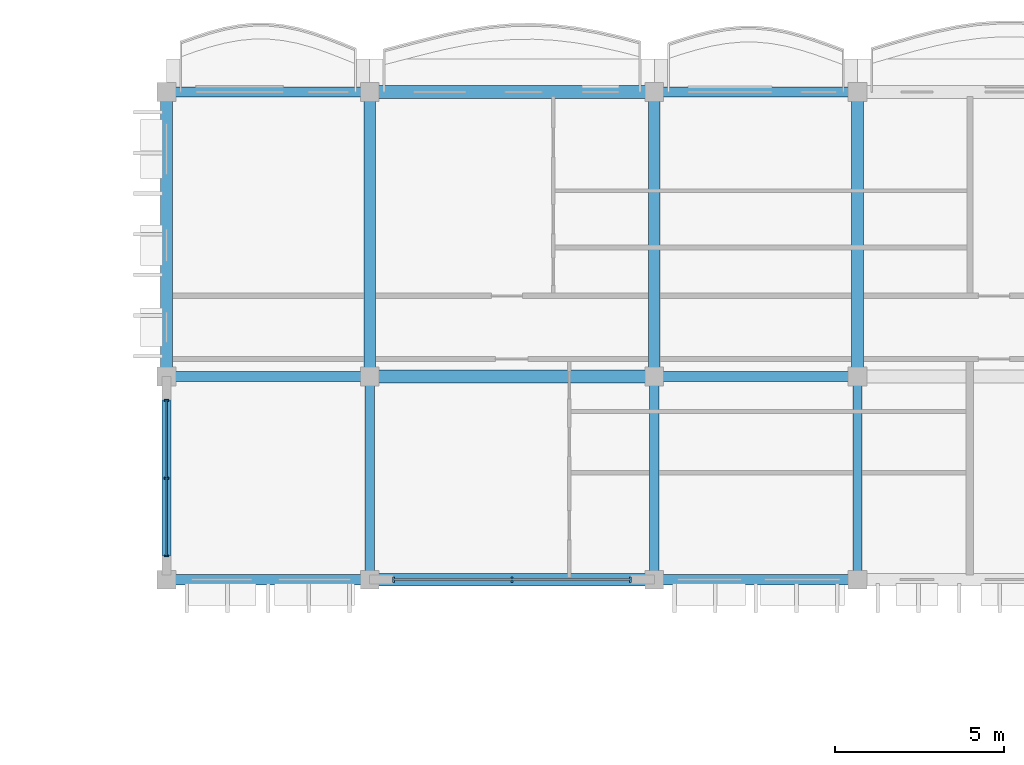
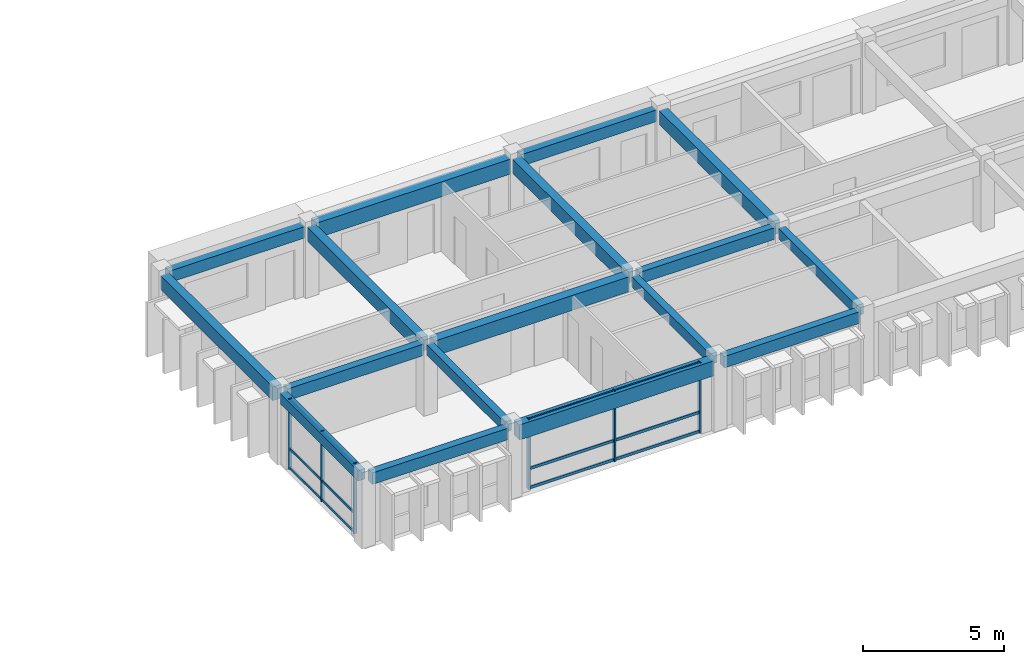
# One storey, part 12 of 54: 17 beams, 12 members, 2 elements without a shape of their own.
"""IFC4 building model written with IfcOpenShell, lengths in metres."""

import ifcopenshell
import ifcopenshell.guid

model = None  # the IFC model being written
_history = None  # IfcOwnerHistory: only IFC2X3 demands one
_inside = {}  # id of a spatial element -> (the spatial element, [elements in it])
_under = {}  # id of a project, library or spatial element -> (it, [spatial elements below it])
_declared = {}  # id of a project -> (the project, [libraries it declares])
_typed = {}  # id of a type object -> (the type object, [elements of that type])
_made_of = {}  # id of a material, layer set ... -> (it, [elements and type objects made of it])


def new_model(schema):
    """Start an empty IFC model of exactly this schema.

    Asked for "IFC4X3", IfcOpenShell would pick the latest addendum, in which some entities
    have other attributes; the version numbers below select the first issue.
    IFC2X3 requires an IfcOwnerHistory on every rooted entity: one is made here for all.
    """
    global model, _history
    if schema == "IFC4X3":
        model = ifcopenshell.file(schema_version=(4, 3, 0, 0))
    else:
        model = ifcopenshell.file(schema=schema)
    _inside.clear()
    _under.clear()
    _declared.clear()
    _typed.clear()
    _made_of.clear()
    _history = None
    if model.schema == "IFC2X3":
        org = make("IfcOrganization", Name="unknown")
        user = make(
            "IfcPersonAndOrganization",
            ThePerson=make("IfcPerson", FamilyName="unknown"),
            TheOrganization=org,
        )
        app = make(
            "IfcApplication",
            ApplicationDeveloper=org,
            Version="unknown",
            ApplicationFullName="unknown",
            ApplicationIdentifier="unknown",
        )
        _history = make(
            "IfcOwnerHistory",
            OwningUser=user,
            OwningApplication=app,
            ChangeAction="ADDED",
            CreationDate=0,
        )
    return model


def make(cls, **values):
    """One entity of the class cls with the attributes given. An attribute that is None is left unset."""
    return model.create_entity(
        cls, **{name: value for name, value in values.items() if value is not None}
    )


def rooted(cls, **values):
    """An entity with a GlobalId (a new one), such as an element, a storey or a relation."""
    return make(cls, GlobalId=ifcopenshell.guid.new(), OwnerHistory=_history, **values)


def si_unit(unit_type, name, prefix=None):
    """IfcSIUnit, for example si_unit("LENGTHUNIT", "METRE", prefix="MILLI")."""
    return make("IfcSIUnit", UnitType=unit_type, Prefix=prefix, Name=name)


def assignment(units):
    """IfcUnitAssignment: the units of a project."""
    return None if units is None else make("IfcUnitAssignment", Units=units)


def point(xyz):
    """IfcCartesianPoint."""
    return None if xyz is None else make("IfcCartesianPoint", Coordinates=xyz)


def direction(xyz):
    """IfcDirection."""
    return None if xyz is None else make("IfcDirection", DirectionRatios=xyz)


def frame(location, z_axis=None, x_axis=None):
    """IfcAxis2Placement3D, a coordinate frame: its origin and axes. An axis left out is left unset."""
    return make(
        "IfcAxis2Placement3D",
        Location=point(location),
        Axis=direction(z_axis),
        RefDirection=direction(x_axis),
    )


def frame_2d(location, x_axis=None):
    """IfcAxis2Placement2D, a coordinate frame in the plane: its origin and x axis."""
    return make(
        "IfcAxis2Placement2D", Location=point(location), RefDirection=direction(x_axis)
    )


def origin():
    """The frame at (0, 0, 0) with its axes left unset."""
    return frame((0.0, 0.0, 0.0))


def origin_2d():
    """The frame at (0, 0) in the plane with its x axis left unset."""
    return frame_2d((0.0, 0.0))


def place(relative_to, where):
    """IfcLocalPlacement: puts the frame where relative to a parent placement (None: the world)."""
    return make(
        "IfcLocalPlacement", PlacementRelTo=relative_to, RelativePlacement=where
    )


def context(
    kind, dimensions, precision=None, world=None, true_north=None, identifier=None
):
    """IfcGeometricRepresentationContext, for example the 3D "Model" context."""
    return make(
        "IfcGeometricRepresentationContext",
        ContextIdentifier=identifier,
        ContextType=kind,
        CoordinateSpaceDimension=dimensions,
        Precision=precision,
        WorldCoordinateSystem=world,
        TrueNorth=true_north,
    )


def subcontext(parent, identifier, kind, view, scale=None):
    """IfcGeometricRepresentationSubContext, for example "Body" below "Model"."""
    return make(
        "IfcGeometricRepresentationSubContext",
        ContextIdentifier=identifier,
        ContextType=kind,
        ParentContext=parent,
        TargetScale=scale,
        TargetView=view,
    )


def project(units=None, contexts=None):
    """IfcProject with its units and contexts."""
    return rooted(
        "IfcProject",
        Name="project",
        RepresentationContexts=contexts,
        UnitsInContext=assignment(units),
    )


def spatial(cls, under=None, at=None, **own):
    """A site, building, storey or space (cls), placed at a placement, below another one or the project."""
    s = rooted(cls, ObjectPlacement=at, **own)
    if under is not None:
        _under.setdefault(under.id(), (under, []))[1].append(s)
    return s


def profile(cls, at=None, kind="AREA", **sizes):
    """A parametric profile (cls). Its sizes go by their IFC names, for example OverallWidth=200.0."""
    return make(cls, ProfileType=kind, Position=at, **sizes)


def rectangle(**sizes):
    """IfcRectangleProfileDef."""
    return profile("IfcRectangleProfileDef", **sizes)


def extrude(swept, where, along, depth):
    """IfcExtrudedAreaSolid: the profile swept, set in the frame where, extruded along a direction by depth."""
    return make(
        "IfcExtrudedAreaSolid",
        SweptArea=swept,
        Position=where,
        ExtrudedDirection=direction(along),
        Depth=depth,
    )


def shape(context_of_items, identifier, shape_type, items):
    """IfcShapeRepresentation: the items that make up one representation, for example the "Body"."""
    return make(
        "IfcShapeRepresentation",
        ContextOfItems=context_of_items,
        RepresentationIdentifier=identifier,
        RepresentationType=shape_type,
        Items=items,
    )


def material(Name=None, Category=None):
    """IfcMaterial."""
    return make("IfcMaterial", Name=Name, Category=Category)


def material_profile(
    of_material, cross_section, Name=None, Category=None, Priority=None
):
    """IfcMaterialProfile: a cross section and its material."""
    return make(
        "IfcMaterialProfile",
        Name=Name,
        Material=of_material,
        Profile=cross_section,
        Priority=Priority,
        Category=Category,
    )


def profile_set(profiles, Name=None, composite=None):
    """IfcMaterialProfileSet."""
    return make(
        "IfcMaterialProfileSet",
        Name=Name,
        MaterialProfiles=profiles,
        CompositeProfile=composite,
    )


def made_of(thing, what):
    """Note that an element or type object is made of a material, layer set ...; save() writes the relation."""
    if what is not None:
        _made_of.setdefault(what.id(), (what, []))[1].append(thing)
    return thing


def type_object(cls, material=None, **own):
    """A type object (cls), such as IfcWallType, which elements share."""
    return made_of(rooted(cls, **own), material)


def element(
    cls,
    number,
    at=None,
    inside=None,
    cuts=None,
    type_object=None,
    material=None,
    context=None,
    identifier="Body",
    shape_type=None,
    held_by="IfcProductDefinitionShape",
    body=None,
    shapes=None,
    **own,
):
    """One element of the class cls, such as IfcWall. Its Tag is "e" and its number.

    at: its placement. inside: the storey or other place that contains it. cuts: it is an
    opening in that element (IfcRelVoidsElement). A single representation is given by context,
    identifier, shape_type and body (its items); several are given by shapes. held_by: the class
    of the entity that holds the representations. save() writes the other relations.
    """
    e = rooted(cls, Tag="e%d" % number, ObjectPlacement=at, **own)
    if body is not None:
        shapes = [shape(context, identifier, shape_type, body)]
    if shapes is not None:
        e.Representation = make(held_by, Representations=shapes)
    if inside is not None:
        _inside.setdefault(inside.id(), (inside, []))[1].append(e)
    if cuts is not None:
        rooted(
            "IfcRelVoidsElement", RelatingBuildingElement=cuts, RelatedOpeningElement=e
        )
    if type_object is not None:
        _typed.setdefault(type_object.id(), (type_object, []))[1].append(e)
    return made_of(e, material)


def aggregate(whole, parts):
    """IfcRelAggregates: a whole, such as a stair, and the parts it consists of."""
    return rooted("IfcRelAggregates", RelatingObject=whole, RelatedObjects=parts)


def save(model, path):
    """Write the relations noted so far, then the file.

    IfcRelAggregates (storeys below a building ...), IfcRelContainedInSpatialStructure (elements
    in a storey), IfcRelDefinesByType, IfcRelAssociatesMaterial and IfcRelDeclares: one each for
    every whole, place, type object, material and project.
    """
    for whole, parts in _under.values():
        aggregate(whole, parts)
    for where, things in _inside.values():
        rooted(
            "IfcRelContainedInSpatialStructure",
            RelatedElements=things,
            RelatingStructure=where,
        )
    for kind, things in _typed.values():
        rooted("IfcRelDefinesByType", RelatedObjects=things, RelatingType=kind)
    for what, things in _made_of.values():
        rooted("IfcRelAssociatesMaterial", RelatedObjects=things, RelatingMaterial=what)
    for by, libraries in _declared.values():
        rooted("IfcRelDeclares", RelatingContext=by, RelatedDefinitions=libraries)
    model.write(path)


model = new_model("IFC4")

# Units and contexts
model_context = context("Model", 3, precision=1e-05, world=origin(), true_north=direction((0.0, 1.0)))
body_context = subcontext(model_context, "Body", "Model", "MODEL_VIEW")
ifc_project = project(units=[si_unit("LENGTHUNIT", "METRE"), si_unit("AREAUNIT", "SQUARE_METRE"), si_unit("VOLUMEUNIT", "CUBIC_METRE"), si_unit("PLANEANGLEUNIT", "RADIAN"), si_unit("MASSUNIT", "GRAM", prefix="KILO"), si_unit("THERMODYNAMICTEMPERATUREUNIT", "KELVIN")], contexts=[model_context])

# Site, building, storey
site_placement = place(None, origin())
site = spatial("IfcSite", under=ifc_project, at=site_placement, CompositionType="ELEMENT")
building_placement = place(site_placement, origin())
building = spatial("IfcBuilding", under=site, at=building_placement, Name="Thalorik Housing Commons", CompositionType="ELEMENT")
storey_placement = place(building_placement, frame((0.0, 0.0, 31.199951171875)))
storey = spatial("IfcBuildingStorey", under=building, at=storey_placement, Name="L09", CompositionType="ELEMENT", Elevation=31.199951171875)

# Curtain wall, members
ifc_material_1 = material(Name="Anodised aluminium and solar-control low-E glass", Category="aluminium")
curtain_wall_type = type_object("IfcCurtainWallType", Name="ARC-CW-LOUNGE", PredefinedType="USERDEFINED", material=ifc_material_1)
curtain_wall_1_placement = place(storey_placement, origin())
curtain_wall_1 = element("IfcCurtainWall", 1, at=curtain_wall_1_placement, inside=storey, type_object=curtain_wall_type, Name="L09 Curtain Wall CW-RES-L09-B-111", ObjectType="CURTAIN WALL", PredefinedType="USERDEFINED")
ifc_material_2 = material(Name="Anodised aluminium 6063-T6", Category="aluminium")
ifc_material_profile_1 = material_profile(ifc_material_2, rectangle(XDim=0.054931640625, YDim=0.139892578125, at=origin_2d()), Name="ALU MUL 55x140", Category="aluminium")
ifc_profile_set_1 = profile_set([ifc_material_profile_1], Name="Anodised aluminium 6063-T6")
member_type_1 = type_object("IfcMemberType", Name="ARC-CW-MUL-55x140", PredefinedType="MULLION", material=ifc_profile_set_1)
member_1_placement = place(storey_placement, frame((80.39990234375, 114.5, 0.0), z_axis=(0.0, 0.0, 1.0), x_axis=(0.0, -1.0, 0.0)))
member_1 = element("IfcMember", 2, at=member_1_placement, type_object=member_type_1, Name="CW-RES-L09-B-111 Mullion 1", PredefinedType="MULLION", context=body_context, shape_type="SweptSolid", body=[
    extrude(rectangle(XDim=0.054931640625, YDim=0.139892578125, at=origin_2d()), origin(), (0.0, 0.0, 1.0), 3.0400390625),
])
member_2_placement = place(storey_placement, frame((80.39990234375, 112.199951171875, 0.0), z_axis=(0.0, 0.0, 1.0), x_axis=(0.0, -1.0, 0.0)))
member_2 = element("IfcMember", 3, at=member_2_placement, type_object=member_type_1, Name="CW-RES-L09-B-111 Mullion 2", PredefinedType="MULLION", context=body_context, shape_type="SweptSolid", body=[
    extrude(rectangle(XDim=0.054931640625, YDim=0.139892578125, at=origin_2d()), origin(), (0.0, 0.0, 1.0), 3.0400390625),
])
member_3_placement = place(storey_placement, frame((80.39990234375, 109.89990234375, 0.0), z_axis=(0.0, 0.0, 1.0), x_axis=(0.0, -1.0, 0.0)))
member_3 = element("IfcMember", 4, at=member_3_placement, type_object=member_type_1, Name="CW-RES-L09-B-111 Mullion 3", PredefinedType="MULLION", context=body_context, shape_type="SweptSolid", body=[
    extrude(rectangle(XDim=0.054931640625, YDim=0.139892578125, at=origin_2d()), origin(), (0.0, 0.0, 1.0), 3.0400390625),
])

curtain_wall_2_placement = place(storey_placement, origin())
curtain_wall_2 = element("IfcCurtainWall", 5, at=curtain_wall_2_placement, inside=storey, type_object=curtain_wall_type, Name="L09 Curtain Wall CW-RES-L09-B-112", ObjectType="CURTAIN WALL", PredefinedType="USERDEFINED")
ifc_material_profile_2 = material_profile(ifc_material_2, rectangle(XDim=0.06005859375, YDim=0.159912109375, at=origin_2d()), Name="ALU MUL 60x160", Category="aluminium")
ifc_profile_set_2 = profile_set([ifc_material_profile_2], Name="Anodised aluminium 6063-T6")
member_type_2 = type_object("IfcMemberType", Name="ARC-CW-MUL-60x160", PredefinedType="MULLION", material=ifc_profile_set_2)
member_4_placement = place(storey_placement, frame((87.10009765625, 109.199951171875, 0.0), z_axis=(0.0, 0.0, 1.0), x_axis=(1.0, 0.0, 0.0)))
member_4 = element("IfcMember", 6, at=member_4_placement, type_object=member_type_2, Name="CW-RES-L09-B-112 Mullion 1", PredefinedType="MULLION", context=body_context, shape_type="SweptSolid", body=[
    extrude(rectangle(XDim=0.06005859375, YDim=0.159912109375, at=origin_2d()), origin(), (0.0, 0.0, 1.0), 3.0400390625),
])
member_5_placement = place(storey_placement, frame((90.60009765625, 109.199951171875, 0.0), z_axis=(0.0, 0.0, 1.0), x_axis=(1.0, 0.0, 0.0)))
member_5 = element("IfcMember", 7, at=member_5_placement, type_object=member_type_2, Name="CW-RES-L09-B-112 Mullion 2", PredefinedType="MULLION", context=body_context, shape_type="SweptSolid", body=[
    extrude(rectangle(XDim=0.06005859375, YDim=0.159912109375, at=origin_2d()), origin(), (0.0, 0.0, 1.0), 3.0400390625),
])
member_6_placement = place(storey_placement, frame((94.10009765625, 109.199951171875, 0.0), z_axis=(0.0, 0.0, 1.0), x_axis=(1.0, 0.0, 0.0)))
member_6 = element("IfcMember", 8, at=member_6_placement, type_object=member_type_2, Name="CW-RES-L09-B-112 Mullion 3", PredefinedType="MULLION", context=body_context, shape_type="SweptSolid", body=[
    extrude(rectangle(XDim=0.06005859375, YDim=0.159912109375, at=origin_2d()), origin(), (0.0, 0.0, 1.0), 3.0400390625),
])

# Member
ifc_material_profile_3 = material_profile(ifc_material_2, rectangle(XDim=0.054931640625, YDim=0.10498046875, at=origin_2d()), Name="ALU TRN 55x105", Category="aluminium")
ifc_profile_set_3 = profile_set([ifc_material_profile_3], Name="Anodised aluminium 6063-T6")
member_type_3 = type_object("IfcMemberType", Name="ARC-CW-TRN-55x105", PredefinedType="USERDEFINED", material=ifc_profile_set_3)
member_7_placement = place(storey_placement, frame((80.39990234375, 114.5, 0.054931640625), z_axis=(0.0, -1.0, 0.0), x_axis=(1.0, 0.0, 0.0)))
member_7 = element("IfcMember", 9, at=member_7_placement, type_object=member_type_3, Name="CW-RES-L09-B-111 Transom 1", ObjectType="TRANSOM", PredefinedType="USERDEFINED", context=body_context, shape_type="SweptSolid", body=[
    extrude(rectangle(XDim=0.054931640625, YDim=0.10498046875, at=origin_2d()), origin(), (0.0, 0.0, 1.0), 4.60009765625),
])

member_8_placement = place(storey_placement, frame((80.39990234375, 114.5, 0.880126953125), z_axis=(0.0, -1.0, 0.0), x_axis=(1.0, 0.0, 0.0)))
member_8 = element("IfcMember", 10, at=member_8_placement, type_object=member_type_3, Name="CW-RES-L09-B-111 Transom 2", ObjectType="TRANSOM", PredefinedType="USERDEFINED", context=body_context, shape_type="SweptSolid", body=[
    extrude(rectangle(XDim=0.054931640625, YDim=0.10498046875, at=origin_2d()), origin(), (0.0, 0.0, 1.0), 4.60009765625),
])

member_9_placement = place(storey_placement, frame((80.39990234375, 114.5, 2.985107421875), z_axis=(0.0, -1.0, 0.0), x_axis=(1.0, 0.0, 0.0)))
member_9 = element("IfcMember", 11, at=member_9_placement, type_object=member_type_3, Name="CW-RES-L09-B-111 Transom 3", ObjectType="TRANSOM", PredefinedType="USERDEFINED", context=body_context, shape_type="SweptSolid", body=[
    extrude(rectangle(XDim=0.054931640625, YDim=0.10498046875, at=origin_2d()), origin(), (0.0, 0.0, 1.0), 4.60009765625),
])

aggregate(curtain_wall_1, [member_1, member_2, member_3, member_7, member_8, member_9])

ifc_material_profile_4 = material_profile(ifc_material_2, rectangle(XDim=0.06005859375, YDim=0.1201171875, at=origin_2d()), Name="ALU TRN 60x120", Category="aluminium")
ifc_profile_set_4 = profile_set([ifc_material_profile_4], Name="Anodised aluminium 6063-T6")
member_type_4 = type_object("IfcMemberType", Name="ARC-CW-TRN-60x120", PredefinedType="USERDEFINED", material=ifc_profile_set_4)
member_10_placement = place(storey_placement, frame((87.10009765625, 109.199951171875, 0.054931640625), z_axis=(1.0, 0.0, 0.0), x_axis=(0.0, 1.0, 0.0)))
member_10 = element("IfcMember", 12, at=member_10_placement, type_object=member_type_4, Name="CW-RES-L09-B-112 Transom 1", ObjectType="TRANSOM", PredefinedType="USERDEFINED", context=body_context, shape_type="SweptSolid", body=[
    extrude(rectangle(XDim=0.06005859375, YDim=0.1201171875, at=origin_2d()), origin(), (0.0, 0.0, 1.0), 7.0),
])

member_11_placement = place(storey_placement, frame((87.10009765625, 109.199951171875, 0.880126953125), z_axis=(1.0, 0.0, 0.0), x_axis=(0.0, 1.0, 0.0)))
member_11 = element("IfcMember", 13, at=member_11_placement, type_object=member_type_4, Name="CW-RES-L09-B-112 Transom 2", ObjectType="TRANSOM", PredefinedType="USERDEFINED", context=body_context, shape_type="SweptSolid", body=[
    extrude(rectangle(XDim=0.06005859375, YDim=0.1201171875, at=origin_2d()), origin(), (0.0, 0.0, 1.0), 7.0),
])

member_12_placement = place(storey_placement, frame((87.10009765625, 109.199951171875, 2.985107421875), z_axis=(1.0, 0.0, 0.0), x_axis=(0.0, 1.0, 0.0)))
member_12 = element("IfcMember", 14, at=member_12_placement, type_object=member_type_4, Name="CW-RES-L09-B-112 Transom 3", ObjectType="TRANSOM", PredefinedType="USERDEFINED", context=body_context, shape_type="SweptSolid", body=[
    extrude(rectangle(XDim=0.06005859375, YDim=0.1201171875, at=origin_2d()), origin(), (0.0, 0.0, 1.0), 7.0),
])

aggregate(curtain_wall_2, [member_4, member_5, member_6, member_10, member_11, member_12])

# Beams
ifc_material_3 = material(Name="Precast concrete C40/50", Category="concrete")
ifc_material_profile_5 = material_profile(ifc_material_3, rectangle(XDim=0.280029296875, YDim=0.449951171875, at=origin_2d()), Name="PC 280x450", Category="concrete")
ifc_profile_set_5 = profile_set([ifc_material_profile_5], Name="Precast concrete C40/50")
beam_type_1 = type_object("IfcBeamType", Name="STR-BM-PC280x450", PredefinedType="BEAM", material=ifc_profile_set_5)
for number, where, z_axis, x_axis, name in (
    (15, (80.39990234375, 109.425048828125, 2.81494140625), (0.0, 1.0, 0.0), (-1.0, 0.0, 0.0), "L09 Beam B-450"),
    (16, (86.39990234375, 109.425048828125, 2.81494140625), (0.0, 1.0, 0.0), (-1.0, 0.0, 0.0), "L09 Beam B-450"),
    (17, (94.800048828125, 109.425048828125, 2.81494140625), (0.0, 1.0, 0.0), (-1.0, 0.0, 0.0), "L09 Beam B-450"),
    (18, (100.800048828125, 109.425048828125, 2.81494140625), (0.0, 1.0, 0.0), (-1.0, 0.0, 0.0), "L09 Beam B-450"),
):
    element("IfcBeam", number, at=place(storey_placement, frame(where, z_axis=z_axis, x_axis=x_axis)), inside=storey, type_object=beam_type_1, Name=name, PredefinedType="BEAM", context=body_context, shape_type="SweptSolid", body=[
        extrude(rectangle(XDim=0.280029296875, YDim=0.449951171875, at=origin_2d()), origin(), (0.0, 0.0, 1.0), 5.550048828125),
    ])
ifc_material_profile_6 = material_profile(ifc_material_3, rectangle(XDim=0.300048828125, YDim=0.5, at=origin_2d()), Name="PC 300x500", Category="concrete")
ifc_profile_set_6 = profile_set([ifc_material_profile_6], Name="Precast concrete C40/50")
beam_type_2 = type_object("IfcBeamType", Name="STR-BM-PC300x500", PredefinedType="BEAM", material=ifc_profile_set_6)
for number, where, z_axis, x_axis, name in (
    (19, (80.625, 109.199951171875, 2.7900390625), (1.0, 0.0, 0.0), (0.0, 1.0, 0.0), "L09 Beam B-500"),
    (20, (95.02490234375, 109.199951171875, 2.7900390625), (1.0, 0.0, 0.0), (0.0, 1.0, 0.0), "L09 Beam B-500"),
    (21, (80.625, 115.199951171875, 2.7900390625), (1.0, 0.0, 0.0), (0.0, 1.0, 0.0), "L09 Beam B-500"),
    (22, (95.02490234375, 115.199951171875, 2.7900390625), (1.0, 0.0, 0.0), (0.0, 1.0, 0.0), "L09 Beam B-500"),
    (23, (80.625, 123.60009765625, 2.7900390625), (1.0, 0.0, 0.0), (0.0, 1.0, 0.0), "L09 Beam B-500"),
    (24, (95.02490234375, 123.60009765625, 2.7900390625), (1.0, 0.0, 0.0), (0.0, 1.0, 0.0), "L09 Beam B-500"),
):
    element("IfcBeam", number, at=place(storey_placement, frame(where, z_axis=z_axis, x_axis=x_axis)), inside=storey, type_object=beam_type_2, Name=name, PredefinedType="BEAM", context=body_context, shape_type="SweptSolid", body=[
        extrude(rectangle(XDim=0.300048828125, YDim=0.5, at=origin_2d()), origin(), (0.0, 0.0, 1.0), 5.550048828125),
    ])
ifc_material_profile_7 = material_profile(ifc_material_3, rectangle(XDim=0.35009765625, YDim=0.60009765625, at=origin_2d()), Name="PC 350x600", Category="concrete")
ifc_profile_set_7 = profile_set([ifc_material_profile_7], Name="Precast concrete C40/50")
beam_type_3 = type_object("IfcBeamType", Name="STR-BM-PC350x600", PredefinedType="BEAM", material=ifc_profile_set_7)
for number, where, z_axis, x_axis, name in (
    (25, (80.39990234375, 115.425048828125, 2.739990234375), (0.0, 1.0, 0.0), (-1.0, 0.0, 0.0), "L09 Beam B-600"),
    (26, (86.39990234375, 115.425048828125, 2.739990234375), (0.0, 1.0, 0.0), (-1.0, 0.0, 0.0), "L09 Beam B-600"),
    (27, (94.800048828125, 115.425048828125, 2.739990234375), (0.0, 1.0, 0.0), (-1.0, 0.0, 0.0), "L09 Beam B-600"),
    (28, (100.800048828125, 115.425048828125, 2.739990234375), (0.0, 1.0, 0.0), (-1.0, 0.0, 0.0), "L09 Beam B-600"),
):
    element("IfcBeam", number, at=place(storey_placement, frame(where, z_axis=z_axis, x_axis=x_axis)), inside=storey, type_object=beam_type_3, Name=name, PredefinedType="BEAM", context=body_context, shape_type="SweptSolid", body=[
        extrude(rectangle(XDim=0.35009765625, YDim=0.60009765625, at=origin_2d()), origin(), (0.0, 0.0, 1.0), 7.949951171875),
    ])
ifc_material_profile_8 = material_profile(ifc_material_3, rectangle(XDim=0.3798828125, YDim=0.64990234375, at=origin_2d()), Name="PC 380x650", Category="concrete")
ifc_profile_set_8 = profile_set([ifc_material_profile_8], Name="Precast concrete C40/50")
beam_type_4 = type_object("IfcBeamType", Name="STR-BM-PC380x650", PredefinedType="BEAM", material=ifc_profile_set_8)
for number, where, z_axis, x_axis, name in (
    (29, (86.625, 109.199951171875, 2.715087890625), (1.0, 0.0, 0.0), (0.0, 1.0, 0.0), "L09 Beam B-650"),
    (30, (86.625, 115.199951171875, 2.715087890625), (1.0, 0.0, 0.0), (0.0, 1.0, 0.0), "L09 Beam B-650"),
    (31, (86.625, 123.60009765625, 2.715087890625), (1.0, 0.0, 0.0), (0.0, 1.0, 0.0), "L09 Beam B-650"),
):
    element("IfcBeam", number, at=place(storey_placement, frame(where, z_axis=z_axis, x_axis=x_axis)), inside=storey, type_object=beam_type_4, Name=name, PredefinedType="BEAM", context=body_context, shape_type="SweptSolid", body=[
        extrude(rectangle(XDim=0.3798828125, YDim=0.64990234375, at=origin_2d()), origin(), (0.0, 0.0, 1.0), 7.949951171875),
    ])

save(model, "model.ifc")
